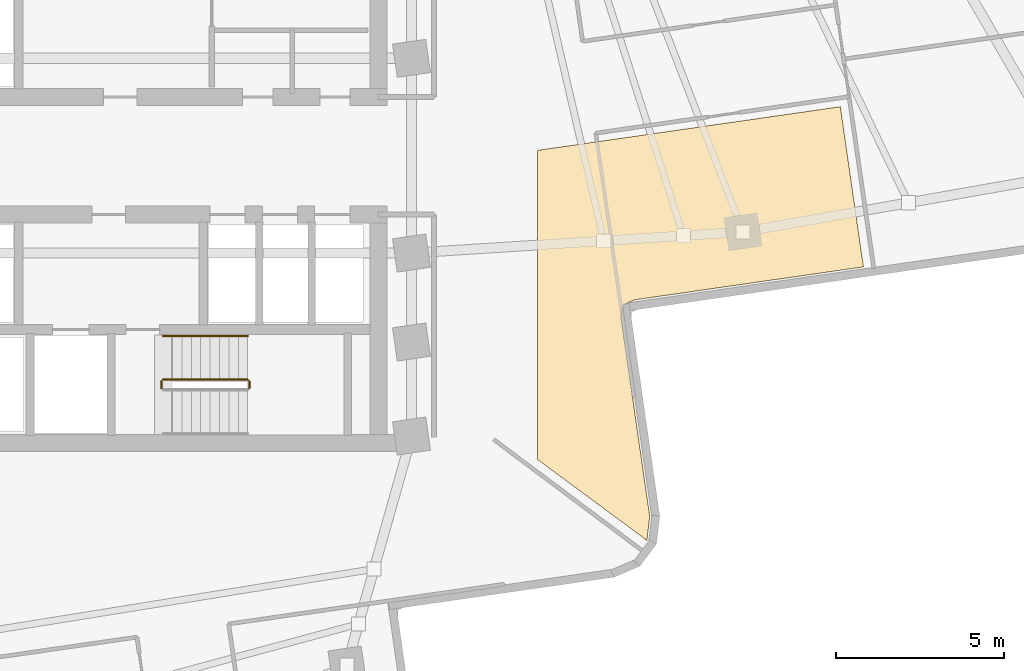
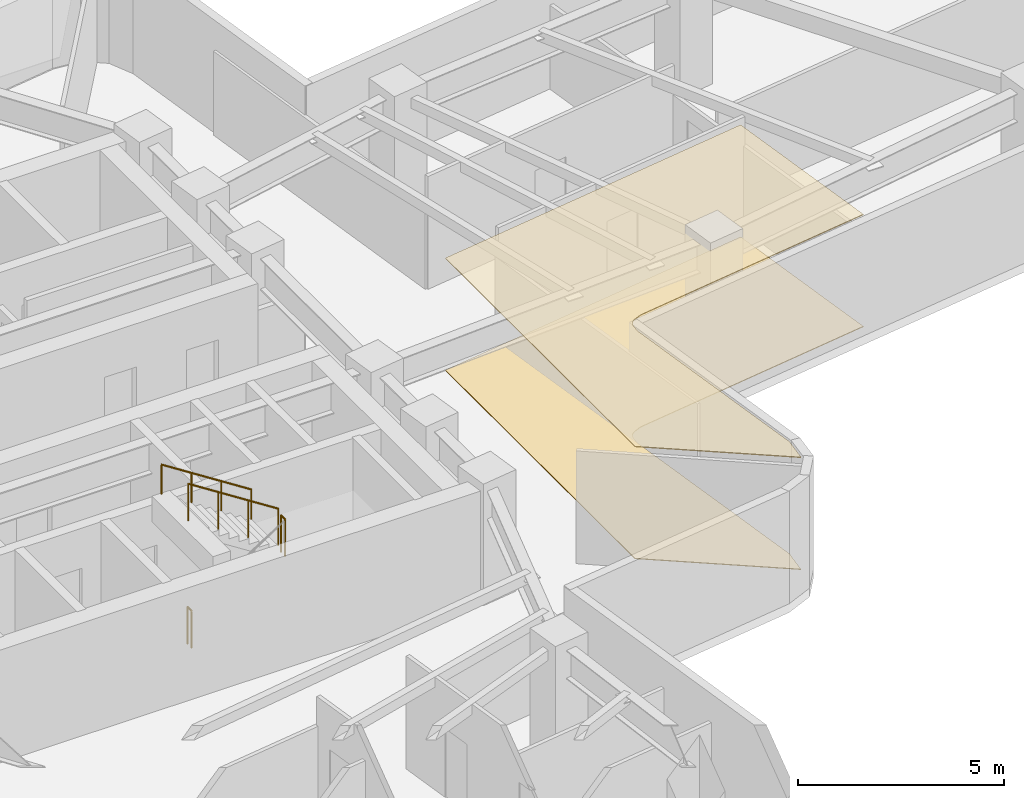
# One storey, part 8 of 10: 4 railings, 2 coverings.
"""IFC4 building model written with IfcOpenShell, lengths in metres."""

from ifc_helpers import new_model, si_unit, direction, frame, origin, origin_2d, place, context, subcontext, project, spatial, polyline, circle, outline, extrude, material, layer, layer_set, type_object, element, save


model = new_model("IFC4")

# Units and contexts
model_context = context("Model", 3, precision=1e-05, world=origin(), true_north=direction((0.0, 1.0)))
body_context = subcontext(model_context, "Body", "Model", "MODEL_VIEW")
ifc_project = project(units=[si_unit("LENGTHUNIT", "METRE"), si_unit("AREAUNIT", "SQUARE_METRE"), si_unit("VOLUMEUNIT", "CUBIC_METRE"), si_unit("PLANEANGLEUNIT", "RADIAN"), si_unit("MASSUNIT", "GRAM", prefix="KILO")], contexts=[model_context])

# Site, building, storey
site_placement = place(None, origin())
site = spatial("IfcSite", under=ifc_project, at=site_placement, CompositionType="ELEMENT")
building_placement = place(site_placement, origin())
building = spatial("IfcBuilding", under=site, at=building_placement, Name="Solmarez Civic Tower", CompositionType="ELEMENT")
storey_placement = place(building_placement, frame((0.0, 0.0, 85.679931640625)))
storey = spatial("IfcBuildingStorey", under=building, at=storey_placement, Name="L22", CompositionType="ELEMENT", Elevation=85.679931640625)

# Coverings
ifc_material_1 = material(Name="Perforated Mineral-Fibre Acoustic Ceiling")
ifc_layer_1 = layer(ifc_material_1, 0.02490234375)
ifc_layer_set_1 = layer_set([ifc_layer_1], Name="Perforated Mineral-Fibre Acoustic Ceiling")
covering_type_1 = type_object("IfcCoveringType", Name="COV-CEIL-ACOUSTIC", PredefinedType="CEILING", material=ifc_layer_set_1)
covering_1_placement = place(storey_placement, frame((0.0, 0.0, 3.315185546875)))
element("IfcCovering", 1, at=covering_1_placement, inside=storey, type_object=covering_type_1, Name="L22 Suspended Acoustic Ceiling 2", PredefinedType="CEILING", context=body_context, shape_type="SweptSolid", body=[
    extrude(outline(polyline([(12.60009765625, 0.158935546875), (12.60009765625, -9.044921875), (15.85791015625, -11.455078125), (15.862060546875, -11.449951171875), (15.946044921875, -10.74609375), (15.097900390625, -4.866943359375), (15.096923828125, -4.85302734375), (15.094970703125, -4.83203125), (15.094970703125, -4.81201171875), (15.097900390625, -4.787109375), (15.116943359375, -4.617919921875), (15.123046875, -4.591064453125), (15.125, -4.5830078125), (15.1259765625, -4.575927734375), (15.1279296875, -4.569091796875), (15.1298828125, -4.56201171875), (15.138916015625, -4.537109375), (15.15087890625, -4.512939453125), (15.155029296875, -4.506103515625), (15.1630859375, -4.492919921875), (15.173095703125, -4.47607421875), (15.18505859375, -4.4609375), (15.197998046875, -4.446044921875), (15.202880859375, -4.44091796875), (15.218017578125, -4.427978515625), (15.22412109375, -4.423095703125), (15.22998046875, -4.41796875), (15.2490234375, -4.404052734375), (15.2548828125, -4.39990234375), (15.27197265625, -4.389892578125), (15.2900390625, -4.381103515625), (15.297119140625, -4.3779296875), (15.455078125, -4.31005859375), (15.48193359375, -4.300048828125), (15.491943359375, -4.297119140625), (15.510986328125, -4.2919921875), (15.531005859375, -4.2880859375), (22.31103515625, -3.31201171875), (21.623046875, 1.458984375), (12.60009765625, 0.158935546875)])), origin(), (0.0, 0.0, 1.0), 0.02490234375),
])
ifc_material_2 = material(Name="Polished Tropical Stone Terrazzo Flooring", Category="masonry")
ifc_layer_2 = layer(ifc_material_2, 0.02001953125)
ifc_layer_set_2 = layer_set([ifc_layer_2], Name="Polished Tropical Stone Terrazzo Flooring")
covering_type_2 = type_object("IfcCoveringType", Name="COV-FLOOR-TERRAZZO", PredefinedType="FLOORING", material=ifc_layer_set_2)
covering_2_placement = place(storey_placement, origin())
element("IfcCovering", 2, at=covering_2_placement, inside=storey, type_object=covering_type_2, Name="L22 Terrazzo Floor Finish 2", PredefinedType="FLOORING", context=body_context, shape_type="SweptSolid", body=[
    extrude(outline(polyline([(12.60009765625, 0.158935546875), (12.60009765625, -9.044921875), (15.85791015625, -11.455078125), (15.862060546875, -11.449951171875), (15.946044921875, -10.74609375), (15.097900390625, -4.866943359375), (15.096923828125, -4.85302734375), (15.094970703125, -4.83203125), (15.094970703125, -4.81201171875), (15.097900390625, -4.787109375), (15.116943359375, -4.617919921875), (15.123046875, -4.591064453125), (15.125, -4.5830078125), (15.1259765625, -4.575927734375), (15.1279296875, -4.569091796875), (15.1298828125, -4.56201171875), (15.138916015625, -4.537109375), (15.15087890625, -4.512939453125), (15.155029296875, -4.506103515625), (15.1630859375, -4.492919921875), (15.173095703125, -4.47607421875), (15.18505859375, -4.4609375), (15.197998046875, -4.446044921875), (15.202880859375, -4.44091796875), (15.218017578125, -4.427978515625), (15.22412109375, -4.423095703125), (15.22998046875, -4.41796875), (15.2490234375, -4.404052734375), (15.2548828125, -4.39990234375), (15.27197265625, -4.389892578125), (15.2900390625, -4.381103515625), (15.297119140625, -4.3779296875), (15.455078125, -4.31005859375), (15.48193359375, -4.300048828125), (15.491943359375, -4.297119140625), (15.510986328125, -4.2919921875), (15.531005859375, -4.2880859375), (22.31103515625, -3.31201171875), (21.623046875, 1.458984375), (12.60009765625, 0.158935546875)])), origin(), (0.0, 0.0, 1.0), 0.02001953125),
])

# Railings
ifc_material_3 = material(Name="Painted Steel Stairwell Safety Guard", Category="steel")
railing_type_1 = type_object("IfcRailingType", Name="GUARD-STAIR-1120", PredefinedType="BALUSTRADE", material=ifc_material_3)
railing_1_placement = place(storey_placement, frame((4.02001953125, -6.919921875, 1.800048828125)))
element("IfcRailing", 3, at=railing_1_placement, inside=storey, type_object=railing_type_1, Name="L22 ST-2 stair guard 2", PredefinedType="BALUSTRADE", context=body_context, shape_type="SweptSolid", body=[
    extrude(circle(Radius=0.02392578125, at=origin_2d()), frame((0.0, 0.0, 1.09619140625), z_axis=(0.0, 1.0, 0.0), x_axis=(-1.0, 0.0, 0.0)), (0.0, 0.0, 1.0), 0.199951171875),
    extrude(circle(Radius=0.02099609375, at=origin_2d()), origin(), (0.0, 0.0, 1.0), 1.072021484375),
    extrude(circle(Radius=0.02099609375, at=origin_2d()), frame((0.0, 0.199951171875, 0.0)), (0.0, 0.0, 1.0), 1.072021484375),
])
railing_2_placement = place(storey_placement, frame((3.969970703125, -6.669921875, 1.97998046875)))
element("IfcRailing", 4, at=railing_2_placement, inside=storey, type_object=railing_type_1, Name="L22 ST-2 stair guard 3", PredefinedType="BALUSTRADE", context=body_context, shape_type="SweptSolid", body=[
    extrude(circle(Radius=0.02392578125, at=origin_2d()), frame((0.0, 0.0, 1.09619140625), z_axis=(-0.841162588446, 0.0, 0.540782303519), x_axis=(0.0, -1.0, 0.0)), (0.0, 0.0, 1.0), 2.995849609375),
    extrude(circle(Radius=0.02099609375, at=origin_2d()), origin(), (0.0, 0.0, 1.0), 1.072021484375),
    extrude(circle(Radius=0.02099609375, at=origin_2d()), frame((-0.840087890625, 0.0, 0.5400390625)), (0.0, 0.0, 1.0), 1.072021484375),
    extrude(circle(Radius=0.02099609375, at=origin_2d()), frame((-1.679931640625, 0.0, 1.080078125)), (0.0, 0.0, 1.0), 1.072021484375),
    extrude(circle(Radius=0.02099609375, at=origin_2d()), frame((-2.52001953125, 0.0, 1.6201171875)), (0.0, 0.0, 1.0), 1.072021484375),
])
railing_3_placement = place(storey_placement, frame((1.39990234375, -6.919921875, 0.0)))
element("IfcRailing", 5, at=railing_3_placement, inside=storey, type_object=railing_type_1, Name="L22 ST-2 stair guard 4", PredefinedType="BALUSTRADE", context=body_context, shape_type="SweptSolid", body=[
    extrude(circle(Radius=0.02392578125, at=origin_2d()), frame((0.0, 0.0, 1.09619140625), z_axis=(0.0, 1.0, 0.0), x_axis=(-1.0, 0.0, 0.0)), (0.0, 0.0, 1.0), 0.199951171875),
    extrude(circle(Radius=0.02099609375, at=origin_2d()), origin(), (0.0, 0.0, 1.0), 1.072021484375),
    extrude(circle(Radius=0.02099609375, at=origin_2d()), frame((0.0, 0.199951171875, 0.0)), (0.0, 0.0, 1.0), 1.072021484375),
])
ifc_material_4 = material(Name="Brushed Stainless Steel Tube Handrail", Category="steel")
railing_type_2 = type_object("IfcRailingType", Name="HANDRAIL-STAIR-900", PredefinedType="HANDRAIL", material=ifc_material_4)
railing_4_placement = place(storey_placement, frame((3.969970703125, -5.3701171875, 1.97998046875)))
element("IfcRailing", 6, at=railing_4_placement, inside=storey, type_object=railing_type_2, Name="L22 ST-2 stair handrail 2", PredefinedType="HANDRAIL", context=body_context, shape_type="SweptSolid", body=[
    extrude(circle(Radius=0.02392578125, at=origin_2d()), frame((0.0, 0.0, 0.8759765625), z_axis=(-0.841162588446, 0.0, 0.540782303519), x_axis=(0.0, -1.0, 0.0)), (0.0, 0.0, 1.0), 2.995849609375),
    extrude(circle(Radius=0.02099609375, at=origin_2d()), origin(), (0.0, 0.0, 1.0), 0.851806640625),
    extrude(circle(Radius=0.02099609375, at=origin_2d()), frame((-0.840087890625, 0.0, 0.5400390625)), (0.0, 0.0, 1.0), 0.851806640625),
    extrude(circle(Radius=0.02099609375, at=origin_2d()), frame((-1.679931640625, 0.0, 1.080078125)), (0.0, 0.0, 1.0), 0.851806640625),
    extrude(circle(Radius=0.02099609375, at=origin_2d()), frame((-2.52001953125, 0.0, 1.6201171875)), (0.0, 0.0, 1.0), 0.851806640625),
])

save(model, "model.ifc")
